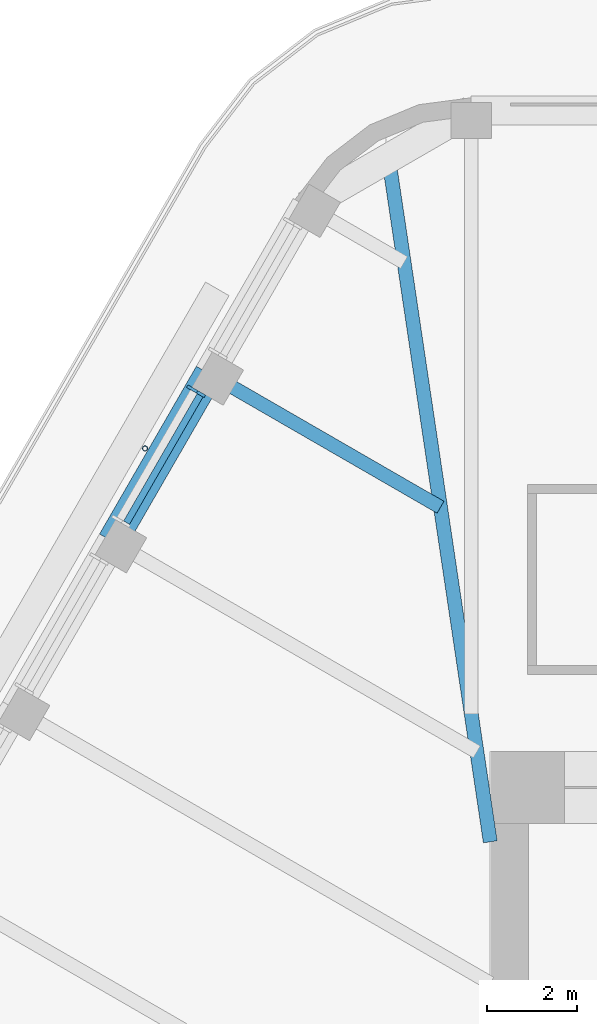
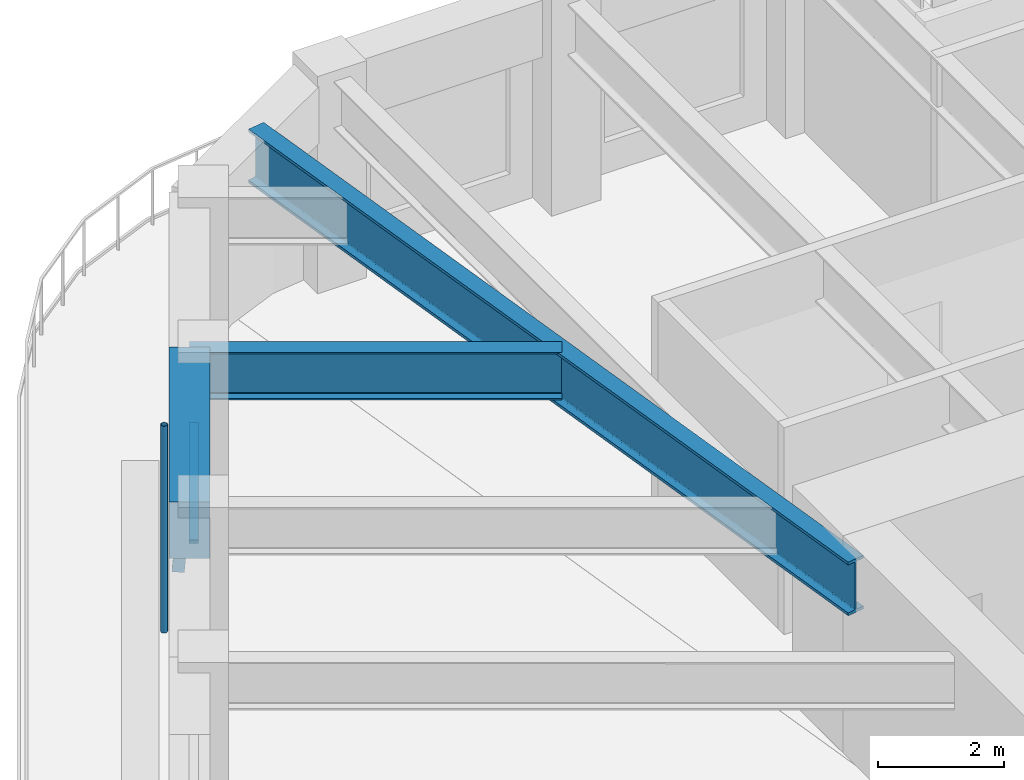
# One storey, part 8 of 19: 3 beams, 3 members, 1 element without a shape of its own.
"""IFC4 building model written with IfcOpenShell, lengths in metres."""

from ifc_helpers import new_model, si_unit, direction, frame, origin, origin_2d, place, context, subcontext, project, spatial, rectangle, hollow_circle, i_section, extrude, material, material_profile, profile_set, type_object, element, aggregate, save


model = new_model("IFC4")

# Units and contexts
model_context = context("Model", 3, precision=1e-05, world=origin(), true_north=direction((0.0, 1.0)))
body_context = subcontext(model_context, "Body", "Model", "MODEL_VIEW")
ifc_project = project(units=[si_unit("LENGTHUNIT", "METRE"), si_unit("AREAUNIT", "SQUARE_METRE"), si_unit("VOLUMEUNIT", "CUBIC_METRE"), si_unit("PLANEANGLEUNIT", "RADIAN"), si_unit("MASSUNIT", "GRAM", prefix="KILO")], contexts=[model_context])

# Site, building, storey
site_placement = place(None, origin())
site = spatial("IfcSite", under=ifc_project, at=site_placement, CompositionType="ELEMENT")
building_placement = place(site_placement, origin())
building = spatial("IfcBuilding", under=site, at=building_placement, Name="Tarfa Lantern Tower", CompositionType="ELEMENT")
storey_placement = place(building_placement, frame((0.0, 0.0, 366.10009765625)))
storey = spatial("IfcBuildingStorey", under=building, at=storey_placement, Name="L83", CompositionType="ELEMENT", Elevation=366.10009765625)

# Curtain wall, members
ifc_material_1 = material(Name="Aluminium framed curtain wall", Category="aluminium")
curtain_wall_type = type_object("IfcCurtainWallType", Name="CW4 CANTED GLAZING EXECUTIVE ZONE 2900", PredefinedType="USERDEFINED", material=ifc_material_1)
curtain_wall_placement = place(storey_placement, origin())
curtain_wall = element("IfcCurtainWall", 1, at=curtain_wall_placement, inside=storey, type_object=curtain_wall_type, Name="CW4 NW L83", ObjectType="CURTAIN WALL", PredefinedType="USERDEFINED")
ifc_material_2 = material(Name="Aluminium mullion", Category="aluminium")
ifc_material_profile_1 = material_profile(ifc_material_2, rectangle(XDim=0.06494140625, YDim=0.199951171875, at=origin_2d()), Name="AL MULLION 65x200")
ifc_profile_set_1 = profile_set([ifc_material_profile_1], Name="Aluminium mullion")
member_type_1 = type_object("IfcMemberType", Name="CWM1 MULLION 65x200", PredefinedType="MULLION", material=ifc_profile_set_1)
member_1_placement = place(storey_placement, frame((-19.038818359375, 20.32373046875, 0.0), z_axis=(0.074399820079, -0.042945555672, 0.996303340364), x_axis=(0.499919672301, 0.866071776036, 0.0)))
member_1 = element("IfcMember", 2, at=member_1_placement, type_object=member_type_1, Name="CW4 mullion 1", PredefinedType="MULLION", context=body_context, shape_type="SweptSolid", body=[
    extrude(rectangle(XDim=0.06494140625, YDim=0.199951171875, at=origin_2d()), origin(), (0.0, 0.0, 1.0), 2.91064453125),
])
ifc_material_3 = material(Name="Aluminium transom", Category="aluminium")
ifc_material_profile_2 = material_profile(ifc_material_3, rectangle(XDim=0.14990234375, YDim=0.06494140625, at=origin_2d()), Name="AL TRANSOM 150x65")
ifc_profile_set_2 = profile_set([ifc_material_profile_2], Name="Aluminium transom")
member_type_2 = type_object("IfcMemberType", Name="CWT1 TRANSOM 150x65", PredefinedType="USERDEFINED", material=ifc_profile_set_2)
member_2_placement = place(storey_placement, frame((-18.841064453125, 20.172119140625, 2.867431640625), z_axis=(-0.499982393232, -0.866035568818, 0.0), x_axis=(0.866035568818, -0.499982393232, 0.0)))
member_2 = element("IfcMember", 3, at=member_2_placement, type_object=member_type_2, Name="CW4 transom 1.2", ObjectType="TRANSOM", PredefinedType="USERDEFINED", context=body_context, shape_type="SweptSolid", body=[
    extrude(rectangle(XDim=0.14990234375, YDim=0.06494140625, at=origin_2d()), origin(), (0.0, 0.0, 1.0), 3.251953125),
])
aggregate(curtain_wall, [member_1, member_2])

# Beam
ifc_material_4 = material(Name="Concrete C80/95", Category="concrete")
ifc_material_profile_3 = material_profile(ifc_material_4, rectangle(XDim=0.64990234375, YDim=1.10009765625, at=origin_2d()), Name="RC 650x1100")
ifc_profile_set_3 = profile_set([ifc_material_profile_3], Name="Concrete C80/95")
beam_type_1 = type_object("IfcBeamType", Name="EB4 RC 650x1100", PredefinedType="SPANDREL", material=ifc_profile_set_3)
beam_1_placement = place(storey_placement, frame((-18.6416015625, 20.651611328125, 3.449951171875), z_axis=(-0.500026801138, -0.866009929587, 0.0), x_axis=(0.866009929587, -0.500026801138, 0.0)))
element("IfcBeam", 4, at=beam_1_placement, inside=storey, type_object=beam_type_1, Name="Edge beam NW1", PredefinedType="SPANDREL", context=body_context, shape_type="SweptSolid", body=[
    extrude(rectangle(XDim=0.64990234375, YDim=1.10009765625, at=origin_2d()), origin(), (0.0, 0.0, 1.0), 4.281982421875),
])

# Member
ifc_material_5 = material(Name="Steel S355", Category="steel")
ifc_material_profile_4 = material_profile(ifc_material_5, hollow_circle(Radius=0.05712890625, WallThickness=0.00634765625, at=origin_2d()), Name="CHS114.3x6.3")
ifc_profile_set_4 = profile_set([ifc_material_profile_4], Name="Steel S355")
member_type_3 = type_object("IfcMemberType", Name="TR1 GREEN WALL TRELLIS CHS114.3x6.3", PredefinedType="USERDEFINED", material=ifc_profile_set_4)
member_3_placement = place(storey_placement, frame((-20.05859375, 18.99755859375, 0.0), z_axis=(0.0, 0.0, 1.0), x_axis=(1.0, 0.0, 0.0)))
element("IfcMember", 5, at=member_3_placement, inside=storey, type_object=member_type_3, Name="Trellis post NW 1", ObjectType="TRELLIS", PredefinedType="USERDEFINED", context=body_context, shape_type="SweptSolid", body=[
    extrude(hollow_circle(Radius=0.05712890625, WallThickness=0.00634765625, at=origin_2d()), origin(), (0.0, 0.0, 1.0), 4.0),
])

# Beams
ifc_material_6 = material(Name="Steel S460M", Category="steel")
ifc_material_profile_5 = material_profile(ifc_material_6, i_section(OverallWidth=0.30859375, OverallDepth=1.036376953125, WebThickness=0.030029296875, FlangeThickness=0.05419921875, FilletRadius=0.030029296875, at=origin_2d()), Name="UB1016x305x487")
ifc_profile_set_5 = profile_set([ifc_material_profile_5], Name="Steel S460M")
beam_type_2 = type_object("IfcBeamType", Name="UB1016x305x487", PredefinedType="BEAM", material=ifc_profile_set_5)
beam_2_placement = place(storey_placement, frame((-12.425048828125, 10.300048828125, 3.481689453125), z_axis=(-0.147127069073, 0.989117599452, 0.0), x_axis=(-0.989117599452, -0.147127069073, 0.0)))
element("IfcBeam", 6, at=beam_2_placement, inside=storey, type_object=beam_type_2, Name="Hip girder NW", PredefinedType="BEAM", context=body_context, shape_type="SweptSolid", body=[
    extrude(i_section(OverallWidth=0.30859375, OverallDepth=1.036376953125, WebThickness=0.030029296875, FlangeThickness=0.05419921875, FilletRadius=0.030029296875, at=origin_2d()), origin(), (0.0, 0.0, 1.0), 15.28125),
])
ifc_material_profile_6 = material_profile(ifc_material_6, i_section(OverallWidth=0.305419921875, OverallDepth=0.91845703125, WebThickness=0.017333984375, FlangeThickness=0.02783203125, FilletRadius=0.01904296875, at=origin_2d()), Name="UB914x305x253")
ifc_profile_set_6 = profile_set([ifc_material_profile_6], Name="Steel S460M")
beam_type_3 = type_object("IfcBeamType", Name="UB914x305x253", PredefinedType="BEAM", material=ifc_profile_set_6)
beam_3_placement = place(storey_placement, frame((-18.6416015625, 20.651611328125, 3.540771484375), z_axis=(0.866024549157, -0.500001480256, 0.0), x_axis=(0.500001480256, 0.866024549157, 0.0)))
element("IfcBeam", 7, at=beam_3_placement, inside=storey, type_object=beam_type_3, Name="Floor beam NW1", PredefinedType="BEAM", context=body_context, shape_type="SweptSolid", body=[
    extrude(i_section(OverallWidth=0.305419921875, OverallDepth=0.91845703125, WebThickness=0.017333984375, FlangeThickness=0.02783203125, FilletRadius=0.01904296875, at=origin_2d()), origin(), (0.0, 0.0, 1.0), 5.90771484375),
])

save(model, "model.ifc")
